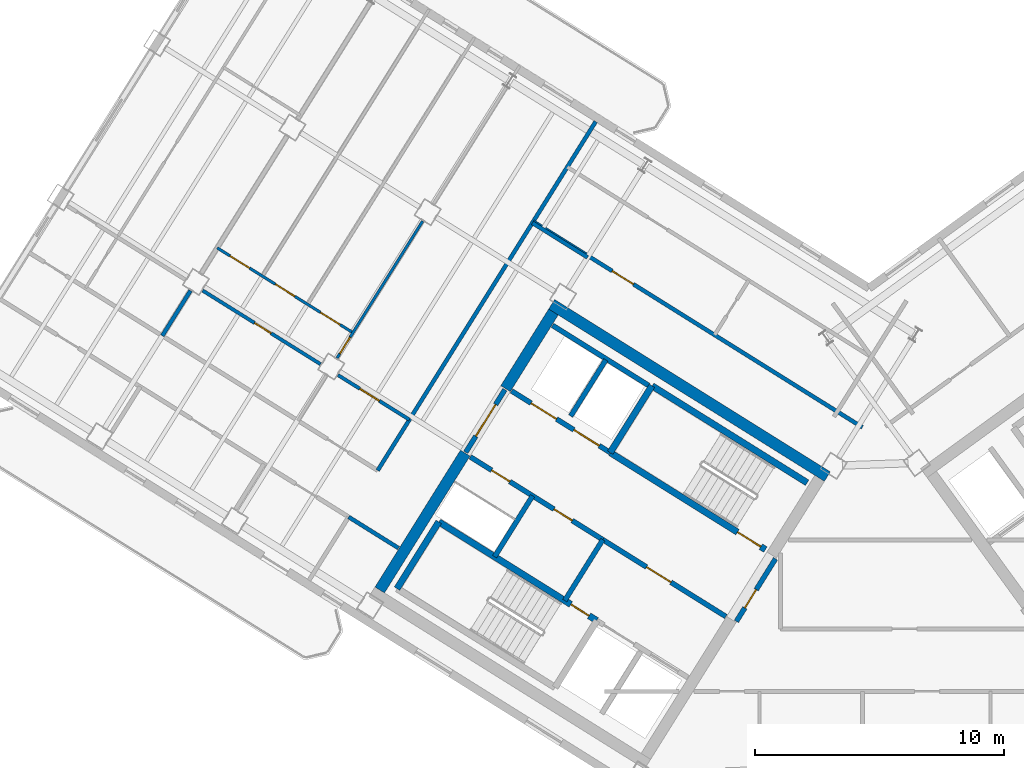
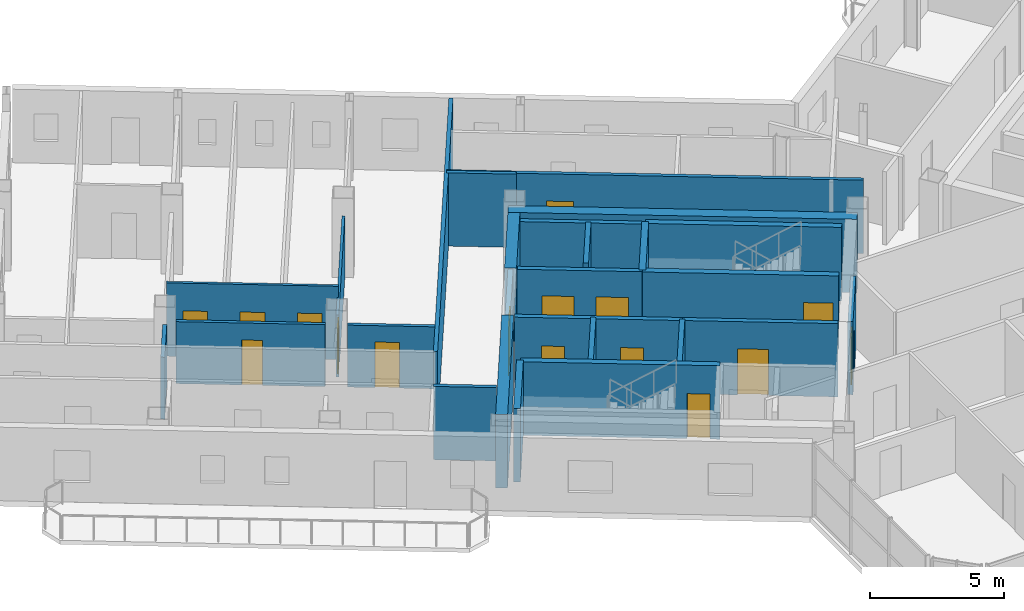
# One storey, part 12 of 20: 26 walls, 16 doors, 16 openings.
"""IFC4 building model written with IfcOpenShell, lengths in metres."""

from ifc_helpers import new_model, si_unit, direction, frame, frame_2d, origin, place, context, subcontext, project, spatial, rectangle, extrude, source, transform, mapped, material, layer, layer_set, type_object, element, fill, save


model = new_model("IFC4")

# Units and contexts
model_context = context("Model", 3, precision=1e-05, world=origin(), true_north=direction((0.0, 1.0)))
body_context = subcontext(model_context, "Body", "Model", "MODEL_VIEW")
ifc_project = project(units=[si_unit("LENGTHUNIT", "METRE"), si_unit("AREAUNIT", "SQUARE_METRE"), si_unit("VOLUMEUNIT", "CUBIC_METRE"), si_unit("PLANEANGLEUNIT", "RADIAN"), si_unit("MASSUNIT", "GRAM", prefix="KILO")], contexts=[model_context])

# Site, building, storey
site_placement = place(None, origin())
site = spatial("IfcSite", under=ifc_project, at=site_placement, CompositionType="ELEMENT")
building_placement = place(site_placement, origin())
building = spatial("IfcBuilding", under=site, at=building_placement, Name="Tlacorven Tower", CompositionType="ELEMENT")
storey_placement = place(building_placement, frame((0.0, 0.0, 225.60009765625)))
storey = spatial("IfcBuildingStorey", under=building, at=storey_placement, Name="L57", CompositionType="ELEMENT", Elevation=225.60009765625)

# Walls
ifc_material_1 = material(Name="Concrete C50/60", Category="concrete")
ifc_layer_1 = layer(ifc_material_1, 0.449951171875)
ifc_layer_set_1 = layer_set([ifc_layer_1], Name="Concrete C50/60")
wall_type_1 = type_object("IfcWallType", Name="WL-COR-450", PredefinedType="SHEAR", material=ifc_layer_set_1)
wall_1_placement = place(storey_placement, frame((40.53076171875, 24.036376953125, 0.0), z_axis=(0.0, 0.0, 1.0), x_axis=(-0.848048787466, 0.529918157905, 0.0)))
element("IfcWall", 1, at=wall_1_placement, inside=storey, type_object=wall_type_1, Name="L57 W core shear wall S1", PredefinedType="SHEAR", context=body_context, shape_type="SweptSolid", body=[
    extrude(rectangle(XDim=13.0400390625, YDim=0.449951171875, at=frame_2d((6.52001953125, 0.0))), origin(), (0.0, 0.0, 1.0), 3.349853515625),
])
wall_2_placement = place(storey_placement, frame((29.543701171875, 30.636474609375, 0.0), z_axis=(0.0, 0.0, 1.0), x_axis=(-0.529902075036, -0.848058836916, 0.0)))
element("IfcWall", 2, at=wall_2_placement, inside=storey, type_object=wall_type_1, Name="L57 W core end wall E2.1", PredefinedType="SHEAR", context=body_context, shape_type="SweptSolid", body=[
    extrude(rectangle(XDim=3.625, YDim=0.449951171875, at=frame_2d((1.8125, 0.0))), origin(), (0.0, 0.0, 1.0), 3.349853515625),
])
wall_3_placement = place(storey_placement, frame((26.006591796875, 24.975830078125, 0.0), z_axis=(0.0, 0.0, 1.0), x_axis=(-0.529931155655, -0.848040665456, 0.0)))
element("IfcWall", 3, at=wall_3_placement, inside=storey, type_object=wall_type_1, Name="L57 W core end wall E2.2", PredefinedType="SHEAR", context=body_context, shape_type="SweptSolid", body=[
    extrude(rectangle(XDim=6.47509765625, YDim=0.449951171875, at=frame_2d((3.237548828125, 0.0))), origin(), (0.0, 0.0, 1.0), 3.349853515625),
])
ifc_material_2 = material(Name="Gypsum plasterboard acoustic partition", Category="gypsum")
ifc_layer_2 = layer(ifc_material_2, 0.159912109375)
ifc_layer_set_2 = layer_set([ifc_layer_2], Name="Gypsum plasterboard acoustic partition")
wall_type_2 = type_object("IfcWallType", Name="WL-DEM-160", PredefinedType="PARTITIONING", material=ifc_layer_set_2)
wall_4_placement = place(storey_placement, frame((30.91357421875, 32.82861328125, 0.0), z_axis=(0.0, 0.0, 1.0), x_axis=(-0.848008813643, 0.529982124211, 0.0)))
element("IfcWall", 4, at=wall_4_placement, inside=storey, type_object=wall_type_2, Name="L57 partition 36", PredefinedType="PARTITIONING", context=body_context, shape_type="SweptSolid", body=[
    extrude(rectangle(XDim=2.610107421875, YDim=0.159912109375, at=frame_2d((1.30517578125, 0.0))), origin(), (0.0, 0.0, 1.0), 3.33984375),
])
wall_5_placement = place(storey_placement, frame((23.32861328125, 21.166015625, 0.0), z_axis=(0.0, 0.0, 1.0), x_axis=(-0.848033204961, 0.529943094382, 0.0)))
element("IfcWall", 5, at=wall_5_placement, inside=storey, type_object=wall_type_2, Name="L57 partition 37", PredefinedType="PARTITIONING", context=body_context, shape_type="SweptSolid", body=[
    extrude(rectangle(XDim=2.35791015625, YDim=0.159912109375, at=frame_2d((1.178955078125, 0.0))), origin(), (0.0, 0.0, 1.0), 3.33984375),
])
wall_6_placement = place(storey_placement, frame((31.238525390625, 38.27392578125, 0.0), z_axis=(0.0, 0.0, 1.0), x_axis=(-0.529921796515, -0.848046513806, 0.0)))
element("IfcWall", 6, at=wall_6_placement, inside=storey, type_object=wall_type_2, Name="L57 partition 38", PredefinedType="PARTITIONING", context=body_context, shape_type="SweptSolid", body=[
    extrude(rectangle(XDim=16.5, YDim=0.159912109375, at=frame_2d((8.25, 0.0))), origin(), (0.0, 0.0, 1.0), 3.33984375),
])
wall_7_placement = place(storey_placement, frame((14.986083984375, 31.494140625, 0.0), z_axis=(0.0, 0.0, 1.0), x_axis=(-0.52989628283, -0.848062456098, 0.0)))
element("IfcWall", 7, at=wall_7_placement, inside=storey, type_object=wall_type_2, Name="L57 WS Demising Wall 1", PredefinedType="PARTITIONING", context=body_context, shape_type="SweptSolid", body=[
    extrude(rectangle(XDim=2.1376953125, YDim=0.159912109375, at=frame_2d((1.06884765625, 0.0))), origin(), (0.0, 0.0, 1.0), 2.824951171875),
])

# Wall, opening, door
wall_8_placement = place(storey_placement, frame((41.93603515625, 26.011962890625, 0.0), z_axis=(0.0, 0.0, 1.0), x_axis=(-0.848051154596, 0.529914369676, 0.0)))
wall_8 = element("IfcWall", 8, at=wall_8_placement, inside=storey, type_object=wall_type_2, Name="L57 partition 57", PredefinedType="PARTITIONING", context=body_context, shape_type="SweptSolid", body=[
    extrude(rectangle(XDim=15.56982421875, YDim=0.159912109375, at=frame_2d((7.784912109375, 0.0))), origin(), (0.0, 0.0, 1.0), 3.33984375),
])
opening_1_placement = place(wall_8_placement, frame((10.830078125, 0.0, 0.0)))
opening_1 = element("IfcOpeningElement", 9, at=opening_1_placement, cuts=wall_8, Name="Opening D11", PredefinedType="OPENING", context=body_context, shape_type="SweptSolid", body=[
    extrude(rectangle(XDim=1.0, YDim=2.10009765625, at=frame_2d((0.5, 1.050048828125))), frame((0.0, 0.08984375, 0.0), z_axis=(0.0, -1.0, 0.0), x_axis=(1.0, 0.0, 0.0)), (0.0, 0.0, 1.0), 0.179931640625),
])
ifc_material_3 = material(Name="Fire-rated steel door assembly", Category="steel")
door_type_1 = type_object("IfcDoorType", Name="DR-FLT-FD60-1000", OperationType="NOTDEFINED", PredefinedType="DOOR", material=ifc_material_3)
shared_shape_1 = source(origin(), body_context, "Body", "SweptSolid", [
    extrude(rectangle(XDim=1.0, YDim=2.10009765625, at=frame_2d((0.5, 1.050048828125))), frame((0.0, 0.02490234375, 0.0), z_axis=(0.0, -1.0, 0.0), x_axis=(1.0, 0.0, 0.0)), (0.0, 0.0, 1.0), 0.050048828125),
])
door_1_placement = place(opening_1_placement, origin())
door_1 = element("IfcDoor", 10, at=door_1_placement, inside=storey, type_object=door_type_1, Name="L57 door 037", OperationType="SINGLE_SWING_LEFT", OverallHeight=2.10009765625, OverallWidth=1.0, PredefinedType="DOOR", context=body_context, shape_type="MappedRepresentation", body=[
    mapped(shared_shape_1, transform((0.0, 0.0, 0.0), scale=1.0)),
])
fill(opening_1, door_1)

ifc_material_4 = material(Name="Gypsum plasterboard partition", Category="gypsum")
ifc_layer_3 = layer(ifc_material_4, 0.110107421875)
ifc_layer_set_3 = layer_set([ifc_layer_3], Name="Gypsum plasterboard partition")
wall_type_3 = type_object("IfcWallType", Name="WL-INT-110", PredefinedType="PARTITIONING", material=ifc_layer_set_3)
wall_9_placement = place(storey_placement, frame((24.299072265625, 34.282958984375, 0.0), z_axis=(0.0, 0.0, 1.0), x_axis=(-0.529890499457, -0.848066069705, 0.0)))
wall_9 = element("IfcWall", 11, at=wall_9_placement, inside=storey, type_object=wall_type_3, Name="L57 partition 45", PredefinedType="PARTITIONING", context=body_context, shape_type="SweptSolid", body=[
    extrude(rectangle(XDim=6.47607421875, YDim=0.110107421875, at=frame_2d((3.238037109375, 0.0))), origin(), (0.0, 0.0, 1.0), 2.824951171875),
])
opening_2_placement = place(wall_9_placement, frame((5.49609375, 0.0, 0.0)))
opening_2 = element("IfcOpeningElement", 12, at=opening_2_placement, cuts=wall_9, Name="Opening D22", PredefinedType="OPENING", context=body_context, shape_type="SweptSolid", body=[
    extrude(rectangle(XDim=0.780029296875, YDim=2.050048828125, at=frame_2d((0.39013671875, 1.02490234375))), frame((0.0, 0.06494140625, 0.0), z_axis=(0.0, -1.0, 0.0), x_axis=(1.0, 0.0, 0.0)), (0.0, 0.0, 1.0), 0.130126953125),
])
ifc_material_5 = material(Name="Powder-coated aluminium and timber door", Category="wood")
door_type_2 = type_object("IfcDoorType", Name="DR-INT-WET-0780", OperationType="NOTDEFINED", PredefinedType="DOOR", material=ifc_material_5)
shared_shape_2 = source(origin(), body_context, "Body", "SweptSolid", [
    extrude(rectangle(XDim=0.780029296875, YDim=2.050048828125, at=frame_2d((0.39013671875, 1.02490234375))), frame((0.0, 0.02490234375, 0.0), z_axis=(0.0, -1.0, 0.0), x_axis=(1.0, 0.0, 0.0)), (0.0, 0.0, 1.0), 0.050048828125),
])
door_2_placement = place(opening_2_placement, origin())
door_2 = element("IfcDoor", 13, at=door_2_placement, inside=storey, type_object=door_type_2, Name="L57 door 026", OperationType="SINGLE_SWING_LEFT", OverallHeight=2.050048828125, OverallWidth=0.780029296875, PredefinedType="DOOR", context=body_context, shape_type="MappedRepresentation", body=[
    mapped(shared_shape_2, transform((0.0, 0.0, 0.0), scale=1.0)),
])
fill(opening_2, door_2)

# Wall, openings, doors
wall_10_placement = place(storey_placement, frame((21.502197265625, 29.806884765625, 0.0), z_axis=(0.0, 0.0, 1.0), x_axis=(-0.848051709137, 0.529913482212, 0.0)))
wall_10 = element("IfcWall", 14, at=wall_10_placement, inside=storey, type_object=wall_type_3, Name="L57 partition 49", PredefinedType="PARTITIONING", context=body_context, shape_type="SweptSolid", body=[
    extrude(rectangle(XDim=6.420166015625, YDim=0.110107421875, at=frame_2d((3.2099609375, 0.0))), origin(), (0.0, 0.0, 1.0), 3.33984375),
])
opening_3_placement = place(wall_10_placement, frame((0.610107421875, 0.0, 0.0)))
opening_3 = element("IfcOpeningElement", 15, at=opening_3_placement, cuts=wall_10, Name="Opening D12", PredefinedType="OPENING", context=body_context, shape_type="SweptSolid", body=[
    extrude(rectangle(XDim=0.919921875, YDim=2.080078125, at=frame_2d((0.4599609375, 1.0400390625))), frame((0.0, 0.06494140625, 0.0), z_axis=(0.0, -1.0, 0.0), x_axis=(1.0, 0.0, 0.0)), (0.0, 0.0, 1.0), 0.130126953125),
])
opening_4_placement = place(wall_10_placement, frame((2.75, 0.0, 0.0)))
opening_4 = element("IfcOpeningElement", 16, at=opening_4_placement, cuts=wall_10, Name="Opening D12", PredefinedType="OPENING", context=body_context, shape_type="SweptSolid", body=[
    extrude(rectangle(XDim=0.919921875, YDim=2.080078125, at=frame_2d((0.4599609375, 1.0400390625))), frame((0.0, 0.06494140625, 0.0), z_axis=(0.0, -1.0, 0.0), x_axis=(1.0, 0.0, 0.0)), (0.0, 0.0, 1.0), 0.130126953125),
])
opening_5_placement = place(wall_10_placement, frame((4.889892578125, 0.0, 0.0)))
opening_5 = element("IfcOpeningElement", 17, at=opening_5_placement, cuts=wall_10, Name="Opening D12", PredefinedType="OPENING", context=body_context, shape_type="SweptSolid", body=[
    extrude(rectangle(XDim=0.919921875, YDim=2.080078125, at=frame_2d((0.4599609375, 1.0400390625))), frame((0.0, 0.06494140625, 0.0), z_axis=(0.0, -1.0, 0.0), x_axis=(1.0, 0.0, 0.0)), (0.0, 0.0, 1.0), 0.130126953125),
])
door_type_3 = type_object("IfcDoorType", Name="DR-INT-ROOM-0920", OperationType="NOTDEFINED", PredefinedType="DOOR", material=ifc_material_5)
shared_shape_3 = source(origin(), body_context, "Body", "SweptSolid", [
    extrude(rectangle(XDim=0.919921875, YDim=2.080078125, at=frame_2d((0.4599609375, 1.0400390625))), frame((0.0, 0.02490234375, 0.0), z_axis=(0.0, -1.0, 0.0), x_axis=(1.0, 0.0, 0.0)), (0.0, 0.0, 1.0), 0.050048828125),
])
door_3_placement = place(opening_3_placement, origin())
door_3 = element("IfcDoor", 18, at=door_3_placement, inside=storey, type_object=door_type_3, Name="L57 door 028", OperationType="SINGLE_SWING_RIGHT", OverallHeight=2.080078125, OverallWidth=0.919921875, PredefinedType="DOOR", context=body_context, shape_type="MappedRepresentation", body=[
    mapped(shared_shape_3, transform((0.0, 0.0, 0.0), scale=1.0)),
])
fill(opening_3, door_3)
door_4_placement = place(opening_4_placement, origin())
door_4 = element("IfcDoor", 19, at=door_4_placement, inside=storey, type_object=door_type_3, Name="L57 door 029", OperationType="SINGLE_SWING_LEFT", OverallHeight=2.080078125, OverallWidth=0.919921875, PredefinedType="DOOR", context=body_context, shape_type="MappedRepresentation", body=[
    mapped(shared_shape_3, transform((0.0, 0.0, 0.0), scale=1.0)),
])
fill(opening_4, door_4)
door_5_placement = place(opening_5_placement, origin())
door_5 = element("IfcDoor", 20, at=door_5_placement, inside=storey, type_object=door_type_3, Name="L57 door 030", OperationType="SINGLE_SWING_RIGHT", OverallHeight=2.080078125, OverallWidth=0.919921875, PredefinedType="DOOR", context=body_context, shape_type="MappedRepresentation", body=[
    mapped(shared_shape_3, transform((0.0, 0.0, 0.0), scale=1.0)),
])
fill(opening_5, door_5)

# Wall, opening, door
ifc_material_6 = material(Name="Moisture-resistant gypsum plumbing wall", Category="gypsum")
ifc_layer_4 = layer(ifc_material_6, 0.139892578125)
ifc_layer_set_4 = layer_set([ifc_layer_4], Name="Moisture-resistant gypsum plumbing wall")
wall_type_4 = type_object("IfcWallType", Name="WL-PLM-140", PredefinedType="PLUMBINGWALL", material=ifc_layer_set_4)
wall_11_placement = place(storey_placement, frame((23.7666015625, 26.31640625, 0.0), z_axis=(0.0, 0.0, 1.0), x_axis=(-0.848055143312, 0.529907986259, 0.0)))
wall_11 = element("IfcWall", 21, at=wall_11_placement, inside=storey, type_object=wall_type_4, Name="L57 partition 47", PredefinedType="PLUMBINGWALL", context=body_context, shape_type="SweptSolid", body=[
    extrude(rectangle(XDim=3.3779296875, YDim=0.139892578125, at=frame_2d((1.68896484375, 0.0))), origin(), (0.0, 0.0, 1.0), 2.824951171875),
])
opening_6_placement = place(wall_11_placement, frame((1.425048828125, 0.0, 0.0)))
opening_6 = element("IfcOpeningElement", 22, at=opening_6_placement, cuts=wall_11, Name="Opening D12", PredefinedType="OPENING", context=body_context, shape_type="SweptSolid", body=[
    extrude(rectangle(XDim=0.919921875, YDim=2.080078125, at=frame_2d((0.4599609375, 1.0400390625))), frame((0.0, 0.080078125, 0.0), z_axis=(0.0, -1.0, 0.0), x_axis=(1.0, 0.0, 0.0)), (0.0, 0.0, 1.0), 0.159912109375),
])
door_6_placement = place(opening_6_placement, origin())
door_6 = element("IfcDoor", 23, at=door_6_placement, inside=storey, type_object=door_type_3, Name="L57 door 025", OperationType="SINGLE_SWING_LEFT", OverallHeight=2.080078125, OverallWidth=0.919921875, PredefinedType="DOOR", context=body_context, shape_type="MappedRepresentation", body=[
    mapped(shared_shape_3, transform((0.0, 0.0, 0.0), scale=1.0)),
])
fill(opening_6, door_6)

wall_12_placement = place(storey_placement, frame((20.203125, 28.543212890625, 0.0), z_axis=(0.0, 0.0, 1.0), x_axis=(-0.848049955116, 0.529916289265, 0.0)))
wall_12 = element("IfcWall", 24, at=wall_12_placement, inside=storey, type_object=wall_type_4, Name="L57 partition 48", PredefinedType="PLUMBINGWALL", context=body_context, shape_type="SweptSolid", body=[
    extrude(rectangle(XDim=5.575927734375, YDim=0.139892578125, at=frame_2d((2.7880859375, 0.0))), origin(), (0.0, 0.0, 1.0), 2.824951171875),
])
opening_7_placement = place(wall_12_placement, frame((2.337890625, 0.0, 0.0)))
opening_7 = element("IfcOpeningElement", 25, at=opening_7_placement, cuts=wall_12, Name="Opening D22", PredefinedType="OPENING", context=body_context, shape_type="SweptSolid", body=[
    extrude(rectangle(XDim=0.780029296875, YDim=2.050048828125, at=frame_2d((0.39013671875, 1.02490234375))), frame((0.0, 0.080078125, 0.0), z_axis=(0.0, -1.0, 0.0), x_axis=(1.0, 0.0, 0.0)), (0.0, 0.0, 1.0), 0.159912109375),
])
door_7_placement = place(opening_7_placement, origin())
door_7 = element("IfcDoor", 26, at=door_7_placement, inside=storey, type_object=door_type_2, Name="L57 door 027", OperationType="SINGLE_SWING_LEFT", OverallHeight=2.050048828125, OverallWidth=0.780029296875, PredefinedType="DOOR", context=body_context, shape_type="MappedRepresentation", body=[
    mapped(shared_shape_2, transform((0.0, 0.0, 0.0), scale=1.0)),
])
fill(opening_7, door_7)

ifc_material_7 = material(Name="Concrete C40/50", Category="concrete")
ifc_layer_5 = layer(ifc_material_7, 0.199951171875)
ifc_layer_set_5 = layer_set([ifc_layer_5], Name="Concrete C40/50")
wall_type_5 = type_object("IfcWallType", Name="WL-SHF-200", PredefinedType="STANDARD", material=ifc_layer_set_5)
wall_13_placement = place(storey_placement, frame((36.459228515625, 18.420654296875, 0.0), z_axis=(0.0, 0.0, 1.0), x_axis=(-0.848059591691, 0.529900867089, 0.0)))
wall_13 = element("IfcWall", 27, at=wall_13_placement, inside=storey, type_object=wall_type_5, Name="L57 Core W Smoke Lobby Wall", PredefinedType="STANDARD", context=body_context, shape_type="SweptSolid", body=[
    extrude(rectangle(XDim=5.818115234375, YDim=0.199951171875, at=frame_2d((2.9091796875, 0.0))), origin(), (0.0, 0.0, 1.0), 3.33984375),
])
opening_8_placement = place(wall_13_placement, frame((2.597900390625, 0.0, 0.0)))
opening_8 = element("IfcOpeningElement", 28, at=opening_8_placement, cuts=wall_13, Name="Opening D09", PredefinedType="OPENING", context=body_context, shape_type="SweptSolid", body=[
    extrude(rectangle(XDim=1.14990234375, YDim=2.10009765625, at=frame_2d((0.574951171875, 1.050048828125))), frame((0.0, 0.10986328125, 0.0), z_axis=(0.0, -1.0, 0.0), x_axis=(1.0, 0.0, 0.0)), (0.0, 0.0, 1.0), 0.219970703125),
])
door_type_4 = type_object("IfcDoorType", Name="DR-FFL-FD60-1150", OperationType="NOTDEFINED", PredefinedType="DOOR", material=ifc_material_3)
shared_shape_4 = source(origin(), body_context, "Body", "SweptSolid", [
    extrude(rectangle(XDim=1.14990234375, YDim=2.10009765625, at=frame_2d((0.574951171875, 1.050048828125))), frame((0.0, 0.02490234375, 0.0), z_axis=(0.0, -1.0, 0.0), x_axis=(1.0, 0.0, 0.0)), (0.0, 0.0, 1.0), 0.050048828125),
])
door_8_placement = place(opening_8_placement, origin())
door_8 = element("IfcDoor", 29, at=door_8_placement, inside=storey, type_object=door_type_4, Name="L57 Firefighting Lobby W Fire Door", OperationType="SINGLE_SWING_LEFT", OverallHeight=2.10009765625, OverallWidth=1.14990234375, PredefinedType="DOOR", context=body_context, shape_type="MappedRepresentation", body=[
    mapped(shared_shape_4, transform((0.0, 0.0, 0.0), scale=1.0)),
])
fill(opening_8, door_8)

# Wall, openings, doors
wall_14_placement = place(storey_placement, frame((31.82177734375, 24.99755859375, 0.0), z_axis=(0.0, 0.0, 1.0), x_axis=(-0.848054125777, 0.529909614701, 0.0)))
wall_14 = element("IfcWall", 30, at=wall_14_placement, inside=storey, type_object=wall_type_5, Name="L57 Core W South Lift Shaft Wall", PredefinedType="STANDARD", context=body_context, shape_type="SweptSolid", body=[
    extrude(rectangle(XDim=4.66796875, YDim=0.199951171875, at=frame_2d((2.333984375, 0.0))), origin(), (0.0, 0.0, 1.0), 3.33984375),
])
opening_9_placement = place(wall_14_placement, frame((0.52001953125, 0.0, 0.0)))
opening_9 = element("IfcOpeningElement", 31, at=opening_9_placement, cuts=wall_14, Name="Opening LD02", PredefinedType="OPENING", context=body_context, shape_type="SweptSolid", body=[
    extrude(rectangle(XDim=1.199951171875, YDim=2.14990234375, at=frame_2d((0.60009765625, 1.074951171875))), frame((0.0, 0.10986328125, 0.0), z_axis=(0.0, -1.0, 0.0), x_axis=(1.0, 0.0, 0.0)), (0.0, 0.0, 1.0), 0.219970703125),
])
opening_10_placement = place(wall_14_placement, frame((2.5400390625, 0.0, 0.0)))
opening_10 = element("IfcOpeningElement", 32, at=opening_10_placement, cuts=wall_14, Name="Opening LD02", PredefinedType="OPENING", context=body_context, shape_type="SweptSolid", body=[
    extrude(rectangle(XDim=1.199951171875, YDim=2.14990234375, at=frame_2d((0.60009765625, 1.074951171875))), frame((0.0, 0.10986328125, 0.0), z_axis=(0.0, -1.0, 0.0), x_axis=(1.0, 0.0, 0.0)), (0.0, 0.0, 1.0), 0.219970703125),
])
door_type_5 = type_object("IfcDoorType", Name="DR-LFT-SLID-1200", OperationType="DOUBLE_DOOR_SLIDING", PredefinedType="DOOR", material=ifc_material_3)
shared_shape_5 = source(origin(), body_context, "Body", "SweptSolid", [
    extrude(rectangle(XDim=1.199951171875, YDim=2.14990234375, at=frame_2d((0.60009765625, 1.074951171875))), frame((0.0, 0.02490234375, 0.0), z_axis=(0.0, -1.0, 0.0), x_axis=(1.0, 0.0, 0.0)), (0.0, 0.0, 1.0), 0.050048828125),
])
door_9_placement = place(opening_9_placement, origin())
door_9 = element("IfcDoor", 33, at=door_9_placement, inside=storey, type_object=door_type_5, Name="L57 Lift PL-H1 Sliding Landing Door", OperationType="DOUBLE_DOOR_SLIDING", OverallHeight=2.14990234375, OverallWidth=1.199951171875, PredefinedType="DOOR", context=body_context, shape_type="MappedRepresentation", body=[
    mapped(shared_shape_5, transform((0.0, 0.0, 0.0), scale=1.0)),
])
fill(opening_9, door_9)
door_10_placement = place(opening_10_placement, origin())
door_10 = element("IfcDoor", 34, at=door_10_placement, inside=storey, type_object=door_type_5, Name="L57 Lift PL-H2 Sliding Landing Door", OperationType="DOUBLE_DOOR_SLIDING", OverallHeight=2.14990234375, OverallWidth=1.199951171875, PredefinedType="DOOR", context=body_context, shape_type="MappedRepresentation", body=[
    mapped(shared_shape_5, transform((0.0, 0.0, 0.0), scale=1.0)),
])
fill(opening_10, door_10)

# Walls
wall_15_placement = place(storey_placement, frame((31.645263671875, 28.716064453125, 0.0), z_axis=(0.0, 0.0, 1.0), x_axis=(-0.52986693015, -0.848080795876, 0.0)))
element("IfcWall", 35, at=wall_15_placement, inside=storey, type_object=wall_type_5, Name="L57 partition 12", PredefinedType="STANDARD", context=body_context, shape_type="SweptSolid", body=[
    extrude(rectangle(XDim=2.659912109375, YDim=0.199951171875, at=frame_2d((1.330078125, 0.0))), origin(), (0.0, 0.0, 1.0), 3.33984375),
])
wall_16_placement = place(storey_placement, frame((33.362548828125, 27.690185546875, 0.0), z_axis=(0.0, 0.0, 1.0), x_axis=(-0.84804957148, 0.529916903215, 0.0)))
element("IfcWall", 36, at=wall_16_placement, inside=storey, type_object=wall_type_5, Name="L57 partition 14", PredefinedType="STANDARD", context=body_context, shape_type="SweptSolid", body=[
    extrude(rectangle(XDim=4.547607421875, YDim=0.199951171875, at=frame_2d((2.27392578125, 0.0))), origin(), (0.0, 0.0, 1.0), 3.33984375),
])
for number, where, z_axis, x_axis, name in (
    (37, (31.525146484375, 21.503662109375, 0.0), (0.0, 0.0, 1.0), (-0.529907497854, -0.848055448493, 0.0), "L57 partition 15"),
    (38, (28.709716796875, 23.26318359375, 0.0), (0.0, 0.0, 1.0), (-0.529907497854, -0.848055448493, 0.0), "L57 partition 16"),
):
    element("IfcWall", number, at=place(storey_placement, frame(where, z_axis=z_axis, x_axis=x_axis)), inside=storey, type_object=wall_type_5, Name=name, PredefinedType="STANDARD", context=body_context, shape_type="SweptSolid", body=[
        extrude(rectangle(XDim=2.8798828125, YDim=0.199951171875, at=frame_2d((1.43994140625, 0.0))), origin(), (0.0, 0.0, 1.0), 3.33984375),
    ])

# Wall, openings, doors
wall_17_placement = place(storey_placement, frame((31.525146484375, 21.503662109375, 0.0), z_axis=(0.0, 0.0, 1.0), x_axis=(-0.848042066329, 0.529928913853, 0.0)))
wall_17 = element("IfcWall", 39, at=wall_17_placement, inside=storey, type_object=wall_type_5, Name="L57 Core W North Service Wall", PredefinedType="STANDARD", context=body_context, shape_type="SweptSolid", body=[
    extrude(rectangle(XDim=6.267822265625, YDim=0.199951171875, at=frame_2d((3.1337890625, 0.0))), origin(), (0.0, 0.0, 1.0), 3.33984375),
])
opening_11_placement = place(wall_17_placement, frame((4.39990234375, 0.0, 0.0)))
opening_11 = element("IfcOpeningElement", 40, at=opening_11_placement, cuts=wall_17, Name="Opening D19", PredefinedType="OPENING", context=body_context, shape_type="SweptSolid", body=[
    extrude(rectangle(XDim=0.860107421875, YDim=2.050048828125, at=frame_2d((0.43017578125, 1.02490234375))), frame((0.0, 0.10986328125, 0.0), z_axis=(0.0, -1.0, 0.0), x_axis=(1.0, 0.0, 0.0)), (0.0, 0.0, 1.0), 0.219970703125),
])
opening_12_placement = place(wall_17_placement, frame((1.449951171875, 0.0, 0.0)))
opening_12 = element("IfcOpeningElement", 41, at=opening_12_placement, cuts=wall_17, Name="Opening D19", PredefinedType="OPENING", context=body_context, shape_type="SweptSolid", body=[
    extrude(rectangle(XDim=0.860107421875, YDim=2.050048828125, at=frame_2d((0.43017578125, 1.02490234375))), frame((0.0, 0.10986328125, 0.0), z_axis=(0.0, -1.0, 0.0), x_axis=(1.0, 0.0, 0.0)), (0.0, 0.0, 1.0), 0.219970703125),
])
door_type_6 = type_object("IfcDoorType", Name="DR-RSR-FD60-0860", OperationType="NOTDEFINED", PredefinedType="DOOR", material=ifc_material_3)
shared_shape_6 = source(origin(), body_context, "Body", "SweptSolid", [
    extrude(rectangle(XDim=0.860107421875, YDim=2.050048828125, at=frame_2d((0.43017578125, 1.02490234375))), frame((0.0, 0.02490234375, 0.0), z_axis=(0.0, -1.0, 0.0), x_axis=(1.0, 0.0, 0.0)), (0.0, 0.0, 1.0), 0.050048828125),
])
door_11_placement = place(opening_11_placement, frame((0.860107421875, 0.0, 0.0), z_axis=(0.0, 0.0, 1.0), x_axis=(-1.0, 0.0, 0.0)))
door_11 = element("IfcDoor", 42, at=door_11_placement, inside=storey, type_object=door_type_6, Name="L57 Electrical Riser Access Door W", OperationType="SINGLE_SWING_RIGHT", OverallHeight=2.050048828125, OverallWidth=0.860107421875, PredefinedType="DOOR", context=body_context, shape_type="MappedRepresentation", body=[
    mapped(shared_shape_6, transform((0.0, 0.0, 0.0), scale=1.0)),
])
fill(opening_11, door_11)
door_12_placement = place(opening_12_placement, frame((0.860107421875, 0.0, 0.0), z_axis=(0.0, 0.0, 1.0), x_axis=(-1.0, 0.0, 0.0)))
door_12 = element("IfcDoor", 43, at=door_12_placement, inside=storey, type_object=door_type_6, Name="L57 Housekeeping Linen Access Door W", OperationType="SINGLE_SWING_LEFT", OverallHeight=2.050048828125, OverallWidth=0.860107421875, PredefinedType="DOOR", context=body_context, shape_type="MappedRepresentation", body=[
    mapped(shared_shape_6, transform((0.0, 0.0, 0.0), scale=1.0)),
])
fill(opening_12, door_12)

# Wall, opening, door
wall_18_placement = place(storey_placement, frame((27.59619140625, 27.52001953125, 0.0), z_axis=(0.0, 0.0, 1.0), x_axis=(-0.529865479138, -0.848081702443, 0.0)))
wall_18 = element("IfcWall", 44, at=wall_18_placement, inside=storey, type_object=wall_type_5, Name="L57 partition 35", PredefinedType="STANDARD", context=body_context, shape_type="SweptSolid", body=[
    extrude(rectangle(XDim=2.9599609375, YDim=0.199951171875, at=frame_2d((1.47998046875, 0.0))), origin(), (0.0, 0.0, 1.0), 3.33984375),
])
opening_13_placement = place(wall_18_placement, frame((0.699951171875, 0.0, 0.0)))
opening_13 = element("IfcOpeningElement", 45, at=opening_13_placement, cuts=wall_18, Name="Opening D10", PredefinedType="OPENING", context=body_context, shape_type="SweptSolid", body=[
    extrude(rectangle(XDim=1.5, YDim=2.14990234375, at=frame_2d((0.75, 1.074951171875))), frame((0.0, 0.10986328125, 0.0), z_axis=(0.0, -1.0, 0.0), x_axis=(1.0, 0.0, 0.0)), (0.0, 0.0, 1.0), 0.219970703125),
])
door_type_7 = type_object("IfcDoorType", Name="DR-LOB-FD60-1500", OperationType="DOUBLE_DOOR_SINGLE_SWING", PredefinedType="DOOR", material=ifc_material_3)
shared_shape_7 = source(origin(), body_context, "Body", "SweptSolid", [
    extrude(rectangle(XDim=1.5, YDim=2.14990234375, at=frame_2d((0.75, 1.074951171875))), frame((0.0, 0.02490234375, 0.0), z_axis=(0.0, -1.0, 0.0), x_axis=(1.0, 0.0, 0.0)), (0.0, 0.0, 1.0), 0.050048828125),
])
door_13_placement = place(opening_13_placement, origin())
door_13 = element("IfcDoor", 46, at=door_13_placement, inside=storey, type_object=door_type_7, Name="L57 door 019", OperationType="DOUBLE_DOOR_SINGLE_SWING", OverallHeight=2.14990234375, OverallWidth=1.5, PredefinedType="DOOR", context=body_context, shape_type="MappedRepresentation", body=[
    mapped(shared_shape_7, transform((0.0, 0.0, 0.0), scale=1.0)),
])
fill(opening_13, door_13)

wall_19_placement = place(storey_placement, frame((38.451416015625, 20.737060546875, 0.0), z_axis=(0.0, 0.0, 1.0), x_axis=(-0.529924799939, -0.848044637038, 0.0)))
wall_19 = element("IfcWall", 47, at=wall_19_placement, inside=storey, type_object=wall_type_5, Name="L57 partition 61", PredefinedType="STANDARD", context=body_context, shape_type="SweptSolid", body=[
    extrude(rectangle(XDim=2.9599609375, YDim=0.199951171875, at=frame_2d((1.47998046875, 0.0))), origin(), (0.0, 0.0, 1.0), 3.33984375),
])
opening_14_placement = place(wall_19_placement, frame((1.4599609375, 0.0, 0.0)))
opening_14 = element("IfcOpeningElement", 48, at=opening_14_placement, cuts=wall_19, Name="Opening D19", PredefinedType="OPENING", context=body_context, shape_type="SweptSolid", body=[
    extrude(rectangle(XDim=0.860107421875, YDim=2.050048828125, at=frame_2d((0.43017578125, 1.02490234375))), frame((0.0, 0.10986328125, 0.0), z_axis=(0.0, -1.0, 0.0), x_axis=(1.0, 0.0, 0.0)), (0.0, 0.0, 1.0), 0.219970703125),
])
door_14_placement = place(opening_14_placement, frame((0.860107421875, 0.0, 0.0), z_axis=(0.0, 0.0, 1.0), x_axis=(-1.0, 0.0, 0.0)))
door_14 = element("IfcDoor", 49, at=door_14_placement, inside=storey, type_object=door_type_6, Name="L57 door 041", OperationType="SINGLE_SWING_LEFT", OverallHeight=2.050048828125, OverallWidth=0.860107421875, PredefinedType="DOOR", context=body_context, shape_type="MappedRepresentation", body=[
    mapped(shared_shape_6, transform((0.0, 0.0, 0.0), scale=1.0)),
])
fill(opening_14, door_14)

ifc_layer_6 = layer(ifc_material_1, 0.260009765625)
ifc_layer_set_6 = layer_set([ifc_layer_6], Name="Concrete C50/60")
wall_type_6 = type_object("IfcWallType", Name="WL-STW-260", PredefinedType="SHEAR", material=ifc_layer_set_6)
wall_20_placement = place(storey_placement, frame((31.279541015625, 18.26123046875, 0.0), z_axis=(0.0, 0.0, 1.0), x_axis=(-0.848051618787, 0.529913626805, 0.0)))
wall_20 = element("IfcWall", 50, at=wall_20_placement, inside=storey, type_object=wall_type_6, Name="L57 Stair W1 Lobby Shear Wall", PredefinedType="SHEAR", context=body_context, shape_type="SweptSolid", body=[
    extrude(rectangle(XDim=7.4599609375, YDim=0.260009765625, at=frame_2d((3.72998046875, 0.0))), origin(), (0.0, 0.0, 1.0), 3.349853515625),
])
opening_15_placement = place(wall_20_placement, frame((0.360107421875, 0.0, 0.0)))
opening_15 = element("IfcOpeningElement", 51, at=opening_15_placement, cuts=wall_20, Name="Opening D19", PredefinedType="OPENING", context=body_context, shape_type="SweptSolid", body=[
    extrude(rectangle(XDim=0.860107421875, YDim=2.050048828125, at=frame_2d((0.43017578125, 1.02490234375))), frame((0.0, 0.14013671875, 0.0), z_axis=(0.0, -1.0, 0.0), x_axis=(1.0, 0.0, 0.0)), (0.0, 0.0, 1.0), 0.280029296875),
])
door_15_placement = place(opening_15_placement, frame((0.860107421875, 0.0, 0.0), z_axis=(0.0, 0.0, 1.0), x_axis=(-1.0, 0.0, 0.0)))
door_15 = element("IfcDoor", 52, at=door_15_placement, inside=storey, type_object=door_type_6, Name="L57 Exit Stair W1 Fire Door", OperationType="SINGLE_SWING_LEFT", OverallHeight=2.050048828125, OverallWidth=0.860107421875, PredefinedType="DOOR", context=body_context, shape_type="MappedRepresentation", body=[
    mapped(shared_shape_6, transform((0.0, 0.0, 0.0), scale=1.0)),
])
fill(opening_15, door_15)

# Walls
wall_21_placement = place(storey_placement, frame((24.944580078125, 22.2197265625, 0.0), z_axis=(0.0, 0.0, 1.0), x_axis=(-0.529908658664, -0.84805472316, 0.0)))
element("IfcWall", 53, at=wall_21_placement, inside=storey, type_object=wall_type_6, Name="L57 Stair W1 East Shear Wall", PredefinedType="SHEAR", context=body_context, shape_type="SweptSolid", body=[
    extrude(rectangle(XDim=3.16015625, YDim=0.260009765625, at=frame_2d((1.580078125, 0.0))), origin(), (0.0, 0.0, 1.0), 3.349853515625),
])
wall_22_placement = place(storey_placement, frame((39.720947265625, 23.787841796875, 0.0), z_axis=(0.0, 0.0, 1.0), x_axis=(-0.848054434086, 0.529909121291, 0.0)))
element("IfcWall", 54, at=wall_22_placement, inside=storey, type_object=wall_type_6, Name="L57 Stair W2 Far Shear Wall", PredefinedType="SHEAR", context=body_context, shape_type="SweptSolid", body=[
    extrude(rectangle(XDim=7.330078125, YDim=0.260009765625, at=frame_2d((3.6650390625, 0.0))), origin(), (0.0, 0.0, 1.0), 3.349853515625),
])

# Wall, opening, door
wall_23_placement = place(storey_placement, frame((38.04638671875, 21.10791015625, 0.0), z_axis=(0.0, 0.0, 1.0), x_axis=(-0.848054434086, 0.529909121291, 0.0)))
wall_23 = element("IfcWall", 55, at=wall_23_placement, inside=storey, type_object=wall_type_6, Name="L57 Stair W2 Lobby Shear Wall", PredefinedType="SHEAR", context=body_context, shape_type="SweptSolid", body=[
    extrude(rectangle(XDim=7.330078125, YDim=0.260009765625, at=frame_2d((3.6650390625, 0.0))), origin(), (0.0, 0.0, 1.0), 3.349853515625),
])
opening_16_placement = place(wall_23_placement, frame((0.219970703125, 0.0, 0.0)))
opening_16 = element("IfcOpeningElement", 56, at=opening_16_placement, cuts=wall_23, Name="Opening D07", PredefinedType="OPENING", context=body_context, shape_type="SweptSolid", body=[
    extrude(rectangle(XDim=1.10009765625, YDim=2.10009765625, at=frame_2d((0.550048828125, 1.050048828125))), frame((0.0, 0.14013671875, 0.0), z_axis=(0.0, -1.0, 0.0), x_axis=(1.0, 0.0, 0.0)), (0.0, 0.0, 1.0), 0.280029296875),
])
door_type_8 = type_object("IfcDoorType", Name="DR-STR-FD90-1100", OperationType="NOTDEFINED", PredefinedType="DOOR", material=ifc_material_3)
shared_shape_8 = source(origin(), body_context, "Body", "SweptSolid", [
    extrude(rectangle(XDim=1.10009765625, YDim=2.10009765625, at=frame_2d((0.550048828125, 1.050048828125))), frame((0.0, 0.02490234375, 0.0), z_axis=(0.0, -1.0, 0.0), x_axis=(1.0, 0.0, 0.0)), (0.0, 0.0, 1.0), 0.050048828125),
])
door_16_placement = place(opening_16_placement, origin())
door_16 = element("IfcDoor", 57, at=door_16_placement, inside=storey, type_object=door_type_8, Name="L57 Exit Stair W2 Fire Door", OperationType="SINGLE_SWING_RIGHT", OverallHeight=2.10009765625, OverallWidth=1.10009765625, PredefinedType="DOOR", context=body_context, shape_type="MappedRepresentation", body=[
    mapped(shared_shape_8, transform((0.0, 0.0, 0.0), scale=1.0)),
])
fill(opening_16, door_16)

# Wall
wall_24_placement = place(storey_placement, frame((33.496337890625, 27.677490234375, 0.0), z_axis=(0.0, 0.0, 1.0), x_axis=(-0.529908658664, -0.84805472316, 0.0)))
element("IfcWall", 58, at=wall_24_placement, inside=storey, type_object=wall_type_6, Name="L57 Stair W2 East Shear Wall", PredefinedType="SHEAR", context=body_context, shape_type="SweptSolid", body=[
    extrude(rectangle(XDim=3.16015625, YDim=0.260009765625, at=frame_2d((1.580078125, 0.0))), origin(), (0.0, 0.0, 1.0), 3.349853515625),
])

save(model, "model.ifc")
